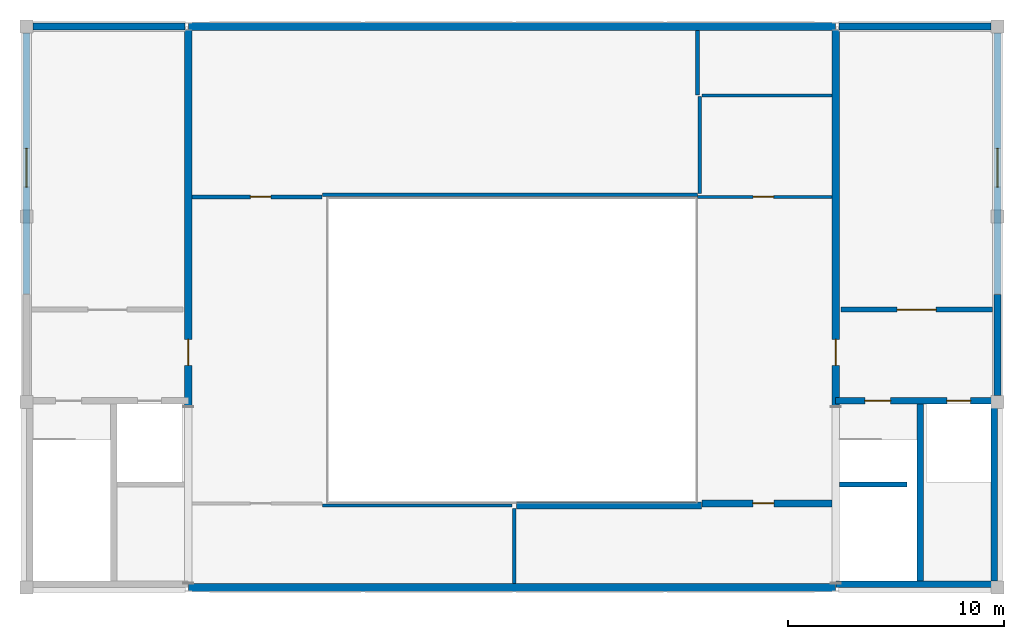
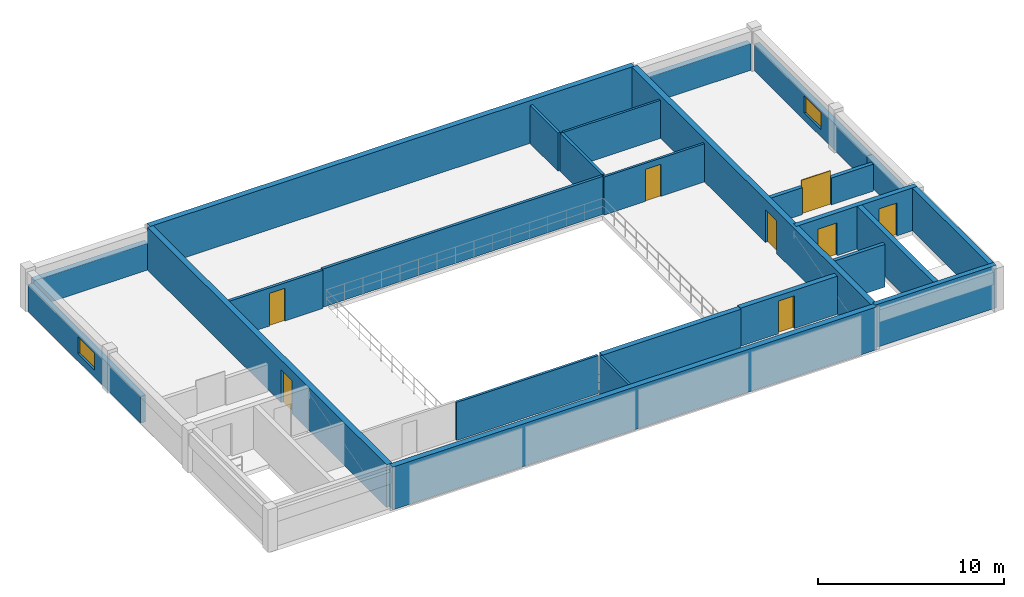
# One storey, part 5 of 6: 25 walls, 8 doors, 2 windows, 10 openings.
"""IFC4 building model written with IfcOpenShell, lengths in metres."""

from ifc_helpers import new_model, si_unit, direction, frame, frame_2d, origin, place, context, subcontext, project, spatial, rectangle, extrude, material, layer, layer_set, type_object, element, fill, save


model = new_model("IFC4")

# Units and contexts
model_context = context("Model", 3, precision=1e-05, world=origin(), true_north=direction((0.0, 1.0)))
body_context = subcontext(model_context, "Body", "Model", "MODEL_VIEW")
ifc_project = project(units=[si_unit("LENGTHUNIT", "METRE"), si_unit("AREAUNIT", "SQUARE_METRE"), si_unit("VOLUMEUNIT", "CUBIC_METRE"), si_unit("PLANEANGLEUNIT", "RADIAN"), si_unit("MASSUNIT", "GRAM", prefix="KILO")], contexts=[model_context])

# Site, building, storey
site_placement = place(None, origin())
site = spatial("IfcSite", under=ifc_project, at=site_placement, CompositionType="ELEMENT")
building_placement = place(site_placement, origin())
building = spatial("IfcBuilding", under=site, at=building_placement, Name="Muzn Square Opera House", CompositionType="ELEMENT")
storey_placement = place(building_placement, frame((0.0, 0.0, 28.199951171875)))
storey = spatial("IfcBuildingStorey", under=building, at=storey_placement, Name="L06", CompositionType="ELEMENT", Elevation=28.199951171875)

# Wall, opening, door
ifc_material_1 = material(Name="Acoustic gypsum stud partition", Category="gypsum")
ifc_layer_1 = layer(ifc_material_1, 0.320068359375, Name="Acoustic gypsum stud partition", Category="gypsum")
ifc_layer_set_1 = layer_set([ifc_layer_1], Name="Acoustic gypsum stud partition")
wall_type_1 = type_object("IfcWallType", Name="Acoustic Studio Double Wall 320mm", PredefinedType="PARTITIONING", material=ifc_layer_set_1)
wall_1_placement = place(storey_placement, frame((96.800048828125, 76.5, 0.0), z_axis=(0.0, 0.0, 1.0), x_axis=(1.0, 0.0, 0.0)))
wall_1 = element("IfcWall", 1, at=wall_1_placement, inside=storey, type_object=wall_type_1, Name="Interior Partition PW-L06-0427", PredefinedType="PARTITIONING", context=body_context, shape_type="SweptSolid", body=[
    extrude(rectangle(XDim=6.02001953125, YDim=0.320068359375, at=frame_2d((3.010009765625, 0.0))), origin(), (0.0, 0.0, 1.0), 2.5),
])
opening_1_placement = place(wall_1_placement, frame((2.360107421875, 0.0, 0.0)))
opening_1 = element("IfcOpeningElement", 2, at=opening_1_placement, cuts=wall_1, Name="Opening DR-TS98", PredefinedType="OPENING", context=body_context, shape_type="SweptSolid", body=[
    extrude(rectangle(XDim=0.97998046875, YDim=2.14990234375, at=frame_2d((0.489990234375, 1.074951171875))), frame((0.0, 0.169921875, 0.0), z_axis=(0.0, -1.0, 0.0), x_axis=(1.0, 0.0, 0.0)), (0.0, 0.0, 1.0), 0.340087890625),
])
ifc_material_2 = material(Name="Acoustic hardwood leaf", Category="wood")
door_type_1 = type_object("IfcDoorType", Name="Technical Studio Door 980x2150", OperationType="NOTDEFINED", PredefinedType="DOOR", material=ifc_material_2)
door_1_placement = place(opening_1_placement, origin())
door_1 = element("IfcDoor", 3, at=door_1_placement, inside=storey, type_object=door_type_1, Name="Acoustic Banner Winch Studio Door DR-L06-0132", OperationType="SINGLE_SWING_LEFT", OverallHeight=2.14990234375, OverallWidth=0.97998046875, PredefinedType="DOOR", context=body_context, shape_type="SweptSolid", body=[
    extrude(rectangle(XDim=0.97998046875, YDim=2.14990234375, at=frame_2d((0.489990234375, 1.074951171875))), frame((0.0, 0.02490234375, 0.0), z_axis=(0.0, -1.0, 0.0), x_axis=(1.0, 0.0, 0.0)), (0.0, 0.0, 1.0), 0.050048828125),
])
fill(opening_1, door_1)

# Walls
wall_2_placement = place(storey_placement, frame((88.199951171875, 76.39990234375, 0.0), z_axis=(0.0, 0.0, 1.0), x_axis=(1.0, 0.0, 0.0)))
element("IfcWall", 4, at=wall_2_placement, inside=storey, type_object=wall_type_1, Name="Room Enclosure Partition PW-L06-0432", PredefinedType="PARTITIONING", context=body_context, shape_type="SweptSolid", body=[
    extrude(rectangle(XDim=8.580078125, YDim=0.320068359375, at=frame_2d((4.2900390625, 0.0))), origin(), (0.0, 0.0, 1.0), 2.5),
])
ifc_material_3 = material(Name="Concrete C45/55", Category="concrete")
ifc_layer_2 = layer(ifc_material_3, 0.300048828125, Name="Concrete C45/55", Category="concrete")
ifc_layer_set_2 = layer_set([ifc_layer_2], Name="Concrete C45/55")
wall_type_2 = type_object("IfcWallType", Name="Core Shear Wall 300mm", PredefinedType="SHEAR", material=ifc_layer_set_2)
for number, where, z_axis, x_axis, name in (
    (5, (110.35009765625, 72.89990234375, 0.0), (0.0, 0.0, 1.0), (0.0, 1.0, 0.0), "Core C2 Shear Wall SW-C2-L06-E"),
    (6, (106.919921875, 72.89990234375, 0.0), (0.0, 0.0, 1.0), (0.0, 1.0, 0.0), "Core C2 Shear Wall SW-C2-L06-DIV"),
):
    element("IfcWall", number, at=place(storey_placement, frame(where, z_axis=z_axis, x_axis=x_axis)), inside=storey, type_object=wall_type_2, Name=name, PredefinedType="SHEAR", context=body_context, shape_type="SweptSolid", body=[
        extrude(rectangle(XDim=8.2001953125, YDim=0.300048828125, at=frame_2d((4.10009765625, 0.0))), origin(), (0.0, 0.0, 1.0), 2.800048828125),
    ])

# Wall, openings, doors
wall_3_placement = place(storey_placement, frame((103.0, 81.25, 0.0), z_axis=(0.0, 0.0, 1.0), x_axis=(1.0, 0.0, 0.0)))
wall_3 = element("IfcWall", 7, at=wall_3_placement, inside=storey, type_object=wall_type_2, Name="Core C2 Front Shear Wall L06", PredefinedType="SHEAR", context=body_context, shape_type="SweptSolid", body=[
    extrude(rectangle(XDim=7.5, YDim=0.300048828125, at=frame_2d((3.75, 0.0))), origin(), (0.0, 0.0, 1.0), 2.800048828125),
])
opening_2_placement = place(wall_3_placement, frame((1.35009765625, 0.0, 0.0)))
opening_2 = element("IfcOpeningElement", 8, at=opening_2_placement, cuts=wall_3, Name="Opening DR-ST12", PredefinedType="OPENING", context=body_context, shape_type="SweptSolid", body=[
    extrude(rectangle(XDim=1.199951171875, YDim=2.14990234375, at=frame_2d((0.60009765625, 1.074951171875))), frame((0.0, 0.159912109375, 0.0), z_axis=(0.0, -1.0, 0.0), x_axis=(1.0, 0.0, 0.0)), (0.0, 0.0, 1.0), 0.320068359375),
])
opening_3_placement = place(wall_3_placement, frame((5.14990234375, 0.0, 0.0)))
opening_3 = element("IfcOpeningElement", 9, at=opening_3_placement, cuts=wall_3, Name="Opening LD-01", PredefinedType="OPENING", context=body_context, shape_type="SweptSolid", body=[
    extrude(rectangle(XDim=1.10009765625, YDim=2.14990234375, at=frame_2d((0.550048828125, 1.074951171875))), frame((0.0, 0.159912109375, 0.0), z_axis=(0.0, -1.0, 0.0), x_axis=(1.0, 0.0, 0.0)), (0.0, 0.0, 1.0), 0.320068359375),
])
ifc_material_4 = material(Name="Galvanised painted steel leaf", Category="metal")
door_type_2 = type_object("IfcDoorType", Name="Core Stair Fire Door 1200x2150", OperationType="NOTDEFINED", PredefinedType="DOOR", material=ifc_material_4)
door_2_placement = place(opening_2_placement, origin())
door_2 = element("IfcDoor", 10, at=door_2_placement, inside=storey, type_object=door_type_2, Name="Core C2 Stair Door L06", OperationType="SINGLE_SWING_LEFT", OverallHeight=2.14990234375, OverallWidth=1.199951171875, PredefinedType="DOOR", context=body_context, shape_type="SweptSolid", body=[
    extrude(rectangle(XDim=1.199951171875, YDim=2.14990234375, at=frame_2d((0.60009765625, 1.074951171875))), frame((0.0, 0.02490234375, 0.0), z_axis=(0.0, -1.0, 0.0), x_axis=(1.0, 0.0, 0.0)), (0.0, 0.0, 1.0), 0.050048828125),
])
fill(opening_2, door_2)
ifc_material_5 = material(Name="Brushed stainless steel", Category="metal")
door_type_3 = type_object("IfcDoorType", Name="Lift Landing Sliding Door 1100x2150", OperationType="SLIDING_TO_LEFT", PredefinedType="DOOR", material=ifc_material_5)
door_3_placement = place(opening_3_placement, origin())
door_3 = element("IfcDoor", 11, at=door_3_placement, inside=storey, type_object=door_type_3, Name="Lift FFL-2 Sliding Landing Door L06", OperationType="SLIDING_TO_LEFT", OverallHeight=2.14990234375, OverallWidth=1.10009765625, PredefinedType="DOOR", context=body_context, shape_type="SweptSolid", body=[
    extrude(rectangle(XDim=1.10009765625, YDim=2.14990234375, at=frame_2d((0.550048828125, 1.074951171875))), frame((0.0, 0.02490234375, 0.0), z_axis=(0.0, -1.0, 0.0), x_axis=(1.0, 0.0, 0.0)), (0.0, 0.0, 1.0), 0.050048828125),
])
fill(opening_3, door_3)

# Wall
wall_4_placement = place(storey_placement, frame((103.014892578125, 72.75, 0.0), z_axis=(0.0, 0.0, 1.0), x_axis=(1.0, 0.0, 0.0)))
element("IfcWall", 12, at=wall_4_placement, inside=storey, type_object=wall_type_2, Name="Core C2 Shear Wall SW-C2-L06-S", PredefinedType="SHEAR", context=body_context, shape_type="SweptSolid", body=[
    extrude(rectangle(XDim=7.485107421875, YDim=0.300048828125, at=frame_2d((3.74267578125, 0.0))), origin(), (0.0, 0.0, 1.0), 2.800048828125),
])

# Wall, opening, window
ifc_material_6 = material(Name="Concrete C40/50", Category="concrete")
ifc_layer_3 = layer(ifc_material_6, 0.31005859375, Name="Concrete C40/50", Category="concrete")
ifc_layer_set_3 = layer_set([ifc_layer_3], Name="Concrete C40/50")
wall_type_3 = type_object("IfcWallType", Name="Exterior Gallery Facade Wall 310mm", PredefinedType="SOLIDWALL", material=ifc_layer_set_3)
wall_5_placement = place(storey_placement, frame((65.5, 86.199951171875, 0.0), z_axis=(0.0, 0.0, 1.0), x_axis=(0.0, 1.0, 0.0)))
wall_5 = element("IfcWall", 13, at=wall_5_placement, inside=storey, type_object=wall_type_3, Name="Exterior Facade Wall EW-L06-102", PredefinedType="SOLIDWALL", context=body_context, shape_type="SweptSolid", body=[
    extrude(rectangle(XDim=12.10009765625, YDim=0.31005859375, at=frame_2d((6.050048828125, 0.0))), origin(), (0.0, 0.0, 1.0), 1.760009765625),
])
opening_4_placement = place(wall_5_placement, frame((4.949951171875, 0.0, 0.47998046875)))
opening_4 = element("IfcOpeningElement", 14, at=opening_4_placement, cuts=wall_5, Name="Opening WN-T1811", PredefinedType="OPENING", context=body_context, shape_type="SweptSolid", body=[
    extrude(rectangle(XDim=1.800048828125, YDim=1.10009765625, at=frame_2d((0.89990234375, 0.550048828125))), frame((0.0, 0.1650390625, 0.0), z_axis=(0.0, -1.0, 0.0), x_axis=(1.0, 0.0, 0.0)), (0.0, 0.0, 1.0), 0.330078125),
])
ifc_material_7 = material(Name="Low-E laminated acoustic double glazing", Category="glass")
window_type = type_object("IfcWindowType", Name="Gridiron Clerestory Window 1800x1100", PartitioningType="SINGLE_PANEL", PredefinedType="WINDOW", material=ifc_material_7)
window_1_placement = place(opening_4_placement, origin())
window_1 = element("IfcWindow", 15, at=window_1_placement, inside=storey, type_object=window_type, Name="Gridiron Clerestory Window 1800x1100 EW-L06-102-WN01", OverallHeight=1.10009765625, OverallWidth=1.800048828125, PartitioningType="SINGLE_PANEL", PredefinedType="WINDOW", context=body_context, shape_type="SweptSolid", body=[
    extrude(rectangle(XDim=1.800048828125, YDim=1.10009765625, at=frame_2d((0.89990234375, 0.550048828125))), frame((0.0, 0.030029296875, 0.0), z_axis=(0.0, -1.0, 0.0), x_axis=(1.0, 0.0, 0.0)), (0.0, 0.0, 1.0), 0.06005859375),
])
fill(opening_4, window_1)

wall_6_placement = place(storey_placement, frame((110.5, 86.199951171875, 0.0), z_axis=(0.0, 0.0, 1.0), x_axis=(0.0, 1.0, 0.0)))
wall_6 = element("IfcWall", 16, at=wall_6_placement, inside=storey, type_object=wall_type_3, Name="Exterior Facade Wall EW-L06-103", PredefinedType="SOLIDWALL", context=body_context, shape_type="SweptSolid", body=[
    extrude(rectangle(XDim=12.10009765625, YDim=0.31005859375, at=frame_2d((6.050048828125, 0.0))), origin(), (0.0, 0.0, 1.0), 1.760009765625),
])
opening_5_placement = place(wall_6_placement, frame((4.949951171875, 0.0, 0.47998046875)))
opening_5 = element("IfcOpeningElement", 17, at=opening_5_placement, cuts=wall_6, Name="Opening WN-T1811", PredefinedType="OPENING", context=body_context, shape_type="SweptSolid", body=[
    extrude(rectangle(XDim=1.800048828125, YDim=1.10009765625, at=frame_2d((0.89990234375, 0.550048828125))), frame((0.0, 0.1650390625, 0.0), z_axis=(0.0, -1.0, 0.0), x_axis=(1.0, 0.0, 0.0)), (0.0, 0.0, 1.0), 0.330078125),
])
window_2_placement = place(opening_5_placement, origin())
window_2 = element("IfcWindow", 18, at=window_2_placement, inside=storey, type_object=window_type, Name="Gridiron Clerestory Window 1800x1100 EW-L06-103-WN01", OverallHeight=1.10009765625, OverallWidth=1.800048828125, PartitioningType="SINGLE_PANEL", PredefinedType="WINDOW", context=body_context, shape_type="SweptSolid", body=[
    extrude(rectangle(XDim=1.800048828125, YDim=1.10009765625, at=frame_2d((0.89990234375, 0.550048828125))), frame((0.0, 0.030029296875, 0.0), z_axis=(0.0, -1.0, 0.0), x_axis=(1.0, 0.0, 0.0)), (0.0, 0.0, 1.0), 0.06005859375),
])
fill(opening_5, window_2)

# Walls
ifc_layer_4 = layer(ifc_material_6, 0.340087890625, Name="Concrete C40/50", Category="concrete")
ifc_layer_set_4 = layer_set([ifc_layer_4], Name="Concrete C40/50")
wall_type_4 = type_object("IfcWallType", Name="Exterior Insulated Spandrel Wall 340mm", PredefinedType="SOLIDWALL", material=ifc_layer_set_4)
for number, where, z_axis, x_axis, name in (
    (19, (65.800048828125, 98.60009765625, 0.0), (0.0, 0.0, 1.0), (1.0, 0.0, 0.0), "Exterior Facade Wall EW-L06-283"),
    (20, (103.14990234375, 98.60009765625, 0.0), (0.0, 0.0, 1.0), (1.0, 0.0, 0.0), "Exterior Facade Wall EW-L06-284"),
):
    element("IfcWall", number, at=place(storey_placement, frame(where, z_axis=z_axis, x_axis=x_axis)), inside=storey, type_object=wall_type_4, Name=name, PredefinedType="SOLIDWALL", context=body_context, shape_type="SweptSolid", body=[
        extrude(rectangle(XDim=7.050048828125, YDim=0.340087890625, at=frame_2d((3.52490234375, 0.0))), origin(), (0.0, 0.0, 1.0), 1.760009765625),
    ])
wall_7_placement = place(storey_placement, frame((110.5, 81.5, 0.0), z_axis=(0.0, 0.0, 1.0), x_axis=(0.0, 1.0, 0.0)))
element("IfcWall", 21, at=wall_7_placement, inside=storey, type_object=wall_type_4, Name="Exterior Facade Wall EW-L06-282", PredefinedType="SOLIDWALL", context=body_context, shape_type="SweptSolid", body=[
    extrude(rectangle(XDim=4.679931640625, YDim=0.340087890625, at=frame_2d((2.33984375, 0.0))), origin(), (0.0, 0.0, 1.0), 1.760009765625),
])

# Wall, opening, door
ifc_layer_5 = layer(ifc_material_6, 0.239990234375, Name="Concrete C40/50", Category="concrete")
ifc_layer_set_5 = layer_set([ifc_layer_5], Name="Concrete C40/50")
wall_type_5 = type_object("IfcWallType", Name="Firefighting Lobby Wall 240mm", PredefinedType="SOLIDWALL", material=ifc_layer_set_5)
wall_8_placement = place(storey_placement, frame((103.239990234375, 85.47998046875, 0.0), z_axis=(0.0, 0.0, 1.0), x_axis=(1.0, 0.0, 0.0)))
wall_8 = element("IfcWall", 22, at=wall_8_placement, inside=storey, type_object=wall_type_5, Name="Lobby C2 Enclosure Wall L06", PredefinedType="SOLIDWALL", context=body_context, shape_type="SweptSolid", body=[
    extrude(rectangle(XDim=7.02001953125, YDim=0.239990234375, at=frame_2d((3.510009765625, 0.0))), origin(), (0.0, 0.0, 1.0), 1.760009765625),
])
opening_6_placement = place(wall_8_placement, frame((2.610107421875, 0.0, 0.0)))
opening_6 = element("IfcOpeningElement", 23, at=opening_6_placement, cuts=wall_8, Name="Opening DR-FL18", PredefinedType="OPENING", context=body_context, shape_type="SweptSolid", body=[
    extrude(rectangle(XDim=1.800048828125, YDim=2.179931640625, at=frame_2d((0.89990234375, 1.08984375))), frame((0.0, 0.1298828125, 0.0), z_axis=(0.0, -1.0, 0.0), x_axis=(1.0, 0.0, 0.0)), (0.0, 0.0, 1.0), 0.260009765625),
])
door_type_4 = type_object("IfcDoorType", Name="Firefighting Lobby Double Door 1800x2180", OperationType="DOUBLE_DOOR_SINGLE_SWING", PredefinedType="DOOR", material=ifc_material_4)
door_4_placement = place(opening_6_placement, origin())
door_4 = element("IfcDoor", 24, at=door_4_placement, inside=storey, type_object=door_type_4, Name="Lobby C2 Fire Door L06", OperationType="DOUBLE_DOOR_SINGLE_SWING", OverallHeight=2.179931640625, OverallWidth=1.800048828125, PredefinedType="DOOR", context=body_context, shape_type="SweptSolid", body=[
    extrude(rectangle(XDim=1.800048828125, YDim=2.179931640625, at=frame_2d((0.89990234375, 1.08984375))), frame((0.0, 0.02490234375, 0.0), z_axis=(0.0, -1.0, 0.0), x_axis=(1.0, 0.0, 0.0)), (0.0, 0.0, 1.0), 0.050048828125),
])
fill(opening_6, door_4)

ifc_layer_6 = layer(ifc_material_3, 0.35009765625, Name="Concrete C45/55", Category="concrete")
ifc_layer_set_6 = layer_set([ifc_layer_6], Name="Concrete C45/55")
wall_type_6 = type_object("IfcWallType", Name="Fly Tower Shear Wall 350mm", PredefinedType="SHEAR", material=ifc_layer_set_6)
wall_9_placement = place(storey_placement, frame((73.0, 72.77001953125, 0.0), z_axis=(0.0, 0.0, 1.0), x_axis=(0.0, 1.0, 0.0)))
wall_9 = element("IfcWall", 25, at=wall_9_placement, inside=storey, type_object=wall_type_6, Name="Fly Tower Shear Wall FTW-L06-W", PredefinedType="SHEAR", context=body_context, shape_type="SweptSolid", body=[
    extrude(rectangle(XDim=25.659912109375, YDim=0.35009765625, at=frame_2d((12.830078125, 0.0))), origin(), (0.0, 0.0, 1.0), 2.800048828125),
])
opening_7_placement = place(wall_9_placement, frame((11.329833984375, 0.0, 0.0), z_axis=(0.0, 0.0, 1.0), x_axis=(-1.0, 0.0, 0.0)))
opening_7 = element("IfcOpeningElement", 26, at=opening_7_placement, cuts=wall_9, Name="Opening DR-ST12", PredefinedType="OPENING", context=body_context, shape_type="SweptSolid", body=[
    extrude(rectangle(XDim=1.199951171875, YDim=2.14990234375, at=frame_2d((0.60009765625, 1.074951171875))), frame((0.0, 0.18505859375, 0.0), z_axis=(0.0, -1.0, 0.0), x_axis=(1.0, 0.0, 0.0)), (0.0, 0.0, 1.0), 0.3701171875),
])
door_5_placement = place(opening_7_placement, origin())
door_5 = element("IfcDoor", 27, at=door_5_placement, inside=storey, type_object=door_type_2, Name="Lobby C1 Side Door E L06", OperationType="SINGLE_SWING_LEFT", OverallHeight=2.14990234375, OverallWidth=1.199951171875, PredefinedType="DOOR", context=body_context, shape_type="SweptSolid", body=[
    extrude(rectangle(XDim=1.199951171875, YDim=2.14990234375, at=frame_2d((0.60009765625, 1.074951171875))), frame((0.0, 0.02490234375, 0.0), z_axis=(0.0, -1.0, 0.0), x_axis=(1.0, 0.0, 0.0)), (0.0, 0.0, 1.0), 0.050048828125),
])
fill(opening_7, door_5)

wall_10_placement = place(storey_placement, frame((103.0, 72.77001953125, 0.0), z_axis=(0.0, 0.0, 1.0), x_axis=(0.0, 1.0, 0.0)))
wall_10 = element("IfcWall", 28, at=wall_10_placement, inside=storey, type_object=wall_type_6, Name="Fly Tower Shear Wall FTW-L06-E", PredefinedType="SHEAR", context=body_context, shape_type="SweptSolid", body=[
    extrude(rectangle(XDim=25.659912109375, YDim=0.35009765625, at=frame_2d((12.830078125, 0.0))), origin(), (0.0, 0.0, 1.0), 2.800048828125),
])
opening_8_placement = place(wall_10_placement, frame((10.1298828125, 0.0, 0.0)))
opening_8 = element("IfcOpeningElement", 29, at=opening_8_placement, cuts=wall_10, Name="Opening DR-ST12", PredefinedType="OPENING", context=body_context, shape_type="SweptSolid", body=[
    extrude(rectangle(XDim=1.199951171875, YDim=2.14990234375, at=frame_2d((0.60009765625, 1.074951171875))), frame((0.0, 0.18505859375, 0.0), z_axis=(0.0, -1.0, 0.0), x_axis=(1.0, 0.0, 0.0)), (0.0, 0.0, 1.0), 0.3701171875),
])
door_6_placement = place(opening_8_placement, origin())
door_6 = element("IfcDoor", 30, at=door_6_placement, inside=storey, type_object=door_type_2, Name="Lobby C2 Side Door W L06", OperationType="SINGLE_SWING_RIGHT", OverallHeight=2.14990234375, OverallWidth=1.199951171875, PredefinedType="DOOR", context=body_context, shape_type="SweptSolid", body=[
    extrude(rectangle(XDim=1.199951171875, YDim=2.14990234375, at=frame_2d((0.60009765625, 1.074951171875))), frame((0.0, 0.02490234375, 0.0), z_axis=(0.0, -1.0, 0.0), x_axis=(1.0, 0.0, 0.0)), (0.0, 0.0, 1.0), 0.050048828125),
])
fill(opening_8, door_6)

# Walls
for number, where, z_axis, x_axis, name in (
    (31, (73.0048828125, 72.60009765625, 0.0), (0.0, 0.0, 1.0), (1.0, 0.0, 0.0), "Fly Tower Shear Wall FTW-L06-S"),
    (32, (73.0048828125, 98.60009765625, 0.0), (0.0, 0.0, 1.0), (1.0, 0.0, 0.0), "Fly Tower Shear Wall FTW-L06-N"),
):
    element("IfcWall", number, at=place(storey_placement, frame(where, z_axis=z_axis, x_axis=x_axis)), inside=storey, type_object=wall_type_6, Name=name, PredefinedType="SHEAR", context=body_context, shape_type="SweptSolid", body=[
        extrude(rectangle(XDim=29.990234375, YDim=0.35009765625, at=frame_2d((14.9951171875, 0.0))), origin(), (0.0, 0.0, 1.0), 2.800048828125),
    ])
ifc_layer_7 = layer(ifc_material_1, 0.169921875, Name="Acoustic gypsum stud partition", Category="gypsum")
ifc_layer_set_7 = layer_set([ifc_layer_7], Name="Acoustic gypsum stud partition")
wall_type_7 = type_object("IfcWallType", Name="Gallery Partition 170mm", PredefinedType="PARTITIONING", material=ifc_layer_set_7)
wall_11_placement = place(storey_placement, frame((96.699951171875, 90.8701171875, 0.0), z_axis=(0.0, 0.0, 1.0), x_axis=(0.0, 1.0, 0.0)))
element("IfcWall", 33, at=wall_11_placement, inside=storey, type_object=wall_type_7, Name="Interior Partition PW-L06-0423", PredefinedType="PARTITIONING", context=body_context, shape_type="SweptSolid", body=[
    extrude(rectangle(XDim=4.474853515625, YDim=0.169921875, at=frame_2d((2.2373046875, 0.0))), origin(), (0.0, 0.0, 1.0), 2.5),
])

# Wall, opening, door
wall_12_placement = place(storey_placement, frame((73.179931640625, 90.699951171875, 0.0), z_axis=(0.0, 0.0, 1.0), x_axis=(1.0, 0.0, 0.0)))
wall_12 = element("IfcWall", 34, at=wall_12_placement, inside=storey, type_object=wall_type_7, Name="Interior Partition PW-L06-0424", PredefinedType="PARTITIONING", context=body_context, shape_type="SweptSolid", body=[
    extrude(rectangle(XDim=6.02001953125, YDim=0.169921875, at=frame_2d((3.010009765625, 0.0))), origin(), (0.0, 0.0, 1.0), 2.5),
])
opening_9_placement = place(wall_12_placement, frame((2.695068359375, 0.0, 0.0)))
opening_9 = element("IfcOpeningElement", 35, at=opening_9_placement, cuts=wall_12, Name="Opening DR-OF95", PredefinedType="OPENING", context=body_context, shape_type="SweptSolid", body=[
    extrude(rectangle(XDim=0.949951171875, YDim=2.14990234375, at=frame_2d((0.47509765625, 1.074951171875))), frame((0.0, 0.094970703125, 0.0), z_axis=(0.0, -1.0, 0.0), x_axis=(1.0, 0.0, 0.0)), (0.0, 0.0, 1.0), 0.18994140625),
])
door_type_5 = type_object("IfcDoorType", Name="Office Room Door 950x2150", OperationType="NOTDEFINED", PredefinedType="DOOR", material=ifc_material_2)
door_7_placement = place(opening_9_placement, origin())
door_7 = element("IfcDoor", 36, at=door_7_placement, inside=storey, type_object=door_type_5, Name="Upper Gridiron Technical Gallery Door DR-L06-0130", OperationType="SINGLE_SWING_LEFT", OverallHeight=2.14990234375, OverallWidth=0.949951171875, PredefinedType="DOOR", context=body_context, shape_type="SweptSolid", body=[
    extrude(rectangle(XDim=0.949951171875, YDim=2.14990234375, at=frame_2d((0.47509765625, 1.074951171875))), frame((0.0, 0.02490234375, 0.0), z_axis=(0.0, -1.0, 0.0), x_axis=(1.0, 0.0, 0.0)), (0.0, 0.0, 1.0), 0.050048828125),
])
fill(opening_9, door_7)

# Walls
wall_13_placement = place(storey_placement, frame((79.219970703125, 90.800048828125, 0.0), z_axis=(0.0, 0.0, 1.0), x_axis=(1.0, 0.0, 0.0)))
element("IfcWall", 37, at=wall_13_placement, inside=storey, type_object=wall_type_7, Name="Room Enclosure Partition PW-L06-0429", PredefinedType="PARTITIONING", context=body_context, shape_type="SweptSolid", body=[
    extrude(rectangle(XDim=17.364990234375, YDim=0.169921875, at=frame_2d((8.6826171875, 0.0))), origin(), (0.0, 0.0, 1.0), 2.5),
])
wall_14_placement = place(storey_placement, frame((96.60009765625, 95.419921875, 0.0), z_axis=(0.0, 0.0, 1.0), x_axis=(0.0, 1.0, 0.0)))
element("IfcWall", 38, at=wall_14_placement, inside=storey, type_object=wall_type_7, Name="Room Enclosure Partition PW-L06-0430", PredefinedType="PARTITIONING", context=body_context, shape_type="SweptSolid", body=[
    extrude(rectangle(XDim=3.0, YDim=0.169921875, at=frame_2d((1.5, 0.0))), origin(), (0.0, 0.0, 1.0), 2.5),
])
ifc_layer_8 = layer(ifc_material_6, 0.219970703125, Name="Concrete C40/50", Category="concrete")
ifc_layer_set_8 = layer_set([ifc_layer_8], Name="Concrete C40/50")
wall_type_8 = type_object("IfcWallType", Name="Lift Lobby Wall 220mm", PredefinedType="SOLIDWALL", material=ifc_layer_set_8)
wall_15_placement = place(storey_placement, frame((103.179931640625, 77.3798828125, 0.0), z_axis=(0.0, 0.0, 1.0), x_axis=(1.0, 0.0, 0.0)))
element("IfcWall", 39, at=wall_15_placement, inside=storey, type_object=wall_type_8, Name="Core C2 Lift Shaft South Wall L06", PredefinedType="SOLIDWALL", context=body_context, shape_type="SweptSolid", body=[
    extrude(rectangle(XDim=3.1201171875, YDim=0.219970703125, at=frame_2d((1.56005859375, 0.0))), origin(), (0.0, 0.0, 1.0), 2.800048828125),
])
ifc_layer_9 = layer(ifc_material_1, 0.14990234375, Name="Acoustic gypsum stud partition", Category="gypsum")
ifc_layer_set_9 = layer_set([ifc_layer_9], Name="Acoustic gypsum stud partition")
wall_type_9 = type_object("IfcWallType", Name="Office Acoustic Partition 150mm", PredefinedType="PARTITIONING", material=ifc_layer_set_9)
wall_16_placement = place(storey_placement, frame((88.10009765625, 72.780029296875, 0.0), z_axis=(0.0, 0.0, 1.0), x_axis=(0.0, 1.0, 0.0)))
element("IfcWall", 40, at=wall_16_placement, inside=storey, type_object=wall_type_9, Name="Interior Partition PW-L06-0425", PredefinedType="PARTITIONING", context=body_context, shape_type="SweptSolid", body=[
    extrude(rectangle(XDim=3.474853515625, YDim=0.14990234375, at=frame_2d((1.7373046875, 0.0))), origin(), (0.0, 0.0, 1.0), 2.5),
])
wall_17_placement = place(storey_placement, frame((79.219970703125, 76.39990234375, 0.0), z_axis=(0.0, 0.0, 1.0), x_axis=(1.0, 0.0, 0.0)))
element("IfcWall", 41, at=wall_17_placement, inside=storey, type_object=wall_type_9, Name="Room Enclosure Partition PW-L06-0431", PredefinedType="PARTITIONING", context=body_context, shape_type="SweptSolid", body=[
    extrude(rectangle(XDim=8.780029296875, YDim=0.14990234375, at=frame_2d((4.39013671875, 0.0))), origin(), (0.0, 0.0, 1.0), 2.5),
])

# Wall, opening, door
ifc_layer_10 = layer(ifc_material_1, 0.139892578125, Name="Acoustic gypsum stud partition", Category="gypsum")
ifc_layer_set_10 = layer_set([ifc_layer_10], Name="Acoustic gypsum stud partition")
wall_type_10 = type_object("IfcWallType", Name="Wet Room Tile Partition 140mm", PredefinedType="PARTITIONING", material=ifc_layer_set_10)
wall_18_placement = place(storey_placement, frame((96.60498046875, 90.699951171875, 0.0), z_axis=(0.0, 0.0, 1.0), x_axis=(1.0, 0.0, 0.0)))
wall_18 = element("IfcWall", 42, at=wall_18_placement, inside=storey, type_object=wall_type_10, Name="Interior Partition PW-L06-0428", PredefinedType="PARTITIONING", context=body_context, shape_type="SweptSolid", body=[
    extrude(rectangle(XDim=6.215087890625, YDim=0.139892578125, at=frame_2d((3.107421875, 0.0))), origin(), (0.0, 0.0, 1.0), 2.5),
])
opening_10_placement = place(wall_18_placement, frame((2.570068359375, 0.0, 0.0)))
opening_10 = element("IfcOpeningElement", 43, at=opening_10_placement, cuts=wall_18, Name="Opening DR-AW95", PredefinedType="OPENING", context=body_context, shape_type="SweptSolid", body=[
    extrude(rectangle(XDim=0.949951171875, YDim=2.10009765625, at=frame_2d((0.47509765625, 1.050048828125))), frame((0.0, 0.079833984375, 0.0), z_axis=(0.0, -1.0, 0.0), x_axis=(1.0, 0.0, 0.0)), (0.0, 0.0, 1.0), 0.159912109375),
])
door_type_6 = type_object("IfcDoorType", Name="Accessible WC Door 950x2100", OperationType="NOTDEFINED", PredefinedType="DOOR", material=ifc_material_2)
door_8_placement = place(opening_10_placement, origin())
door_8 = element("IfcDoor", 44, at=door_8_placement, inside=storey, type_object=door_type_6, Name="Gridiron Accessible WC Door DR-L06-0133", OperationType="SINGLE_SWING_RIGHT", OverallHeight=2.10009765625, OverallWidth=0.949951171875, PredefinedType="DOOR", context=body_context, shape_type="SweptSolid", body=[
    extrude(rectangle(XDim=0.949951171875, YDim=2.10009765625, at=frame_2d((0.47509765625, 1.050048828125))), frame((0.0, 0.02490234375, 0.0), z_axis=(0.0, -1.0, 0.0), x_axis=(1.0, 0.0, 0.0)), (0.0, 0.0, 1.0), 0.050048828125),
])
fill(opening_10, door_8)

# Wall
wall_19_placement = place(storey_placement, frame((96.800048828125, 95.39990234375, 0.0), z_axis=(0.0, 0.0, 1.0), x_axis=(1.0, 0.0, 0.0)))
element("IfcWall", 45, at=wall_19_placement, inside=storey, type_object=wall_type_10, Name="Room Enclosure Partition PW-L06-0433", PredefinedType="PARTITIONING", context=body_context, shape_type="SweptSolid", body=[
    extrude(rectangle(XDim=6.02001953125, YDim=0.139892578125, at=frame_2d((3.010009765625, 0.0))), origin(), (0.0, 0.0, 1.0), 2.5),
])

save(model, "model.ifc")
